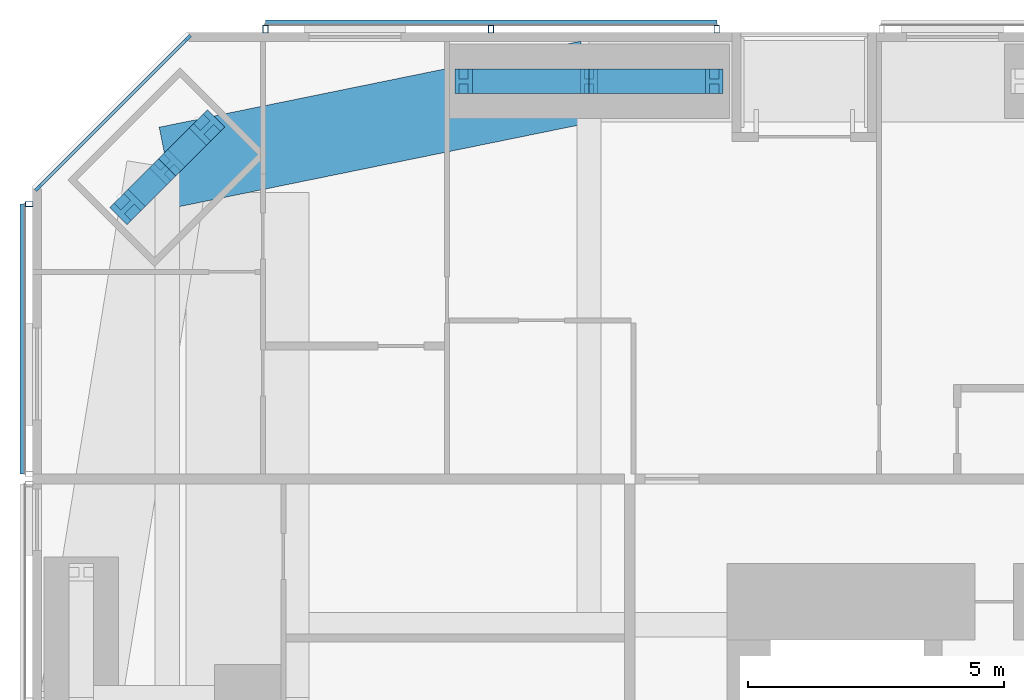
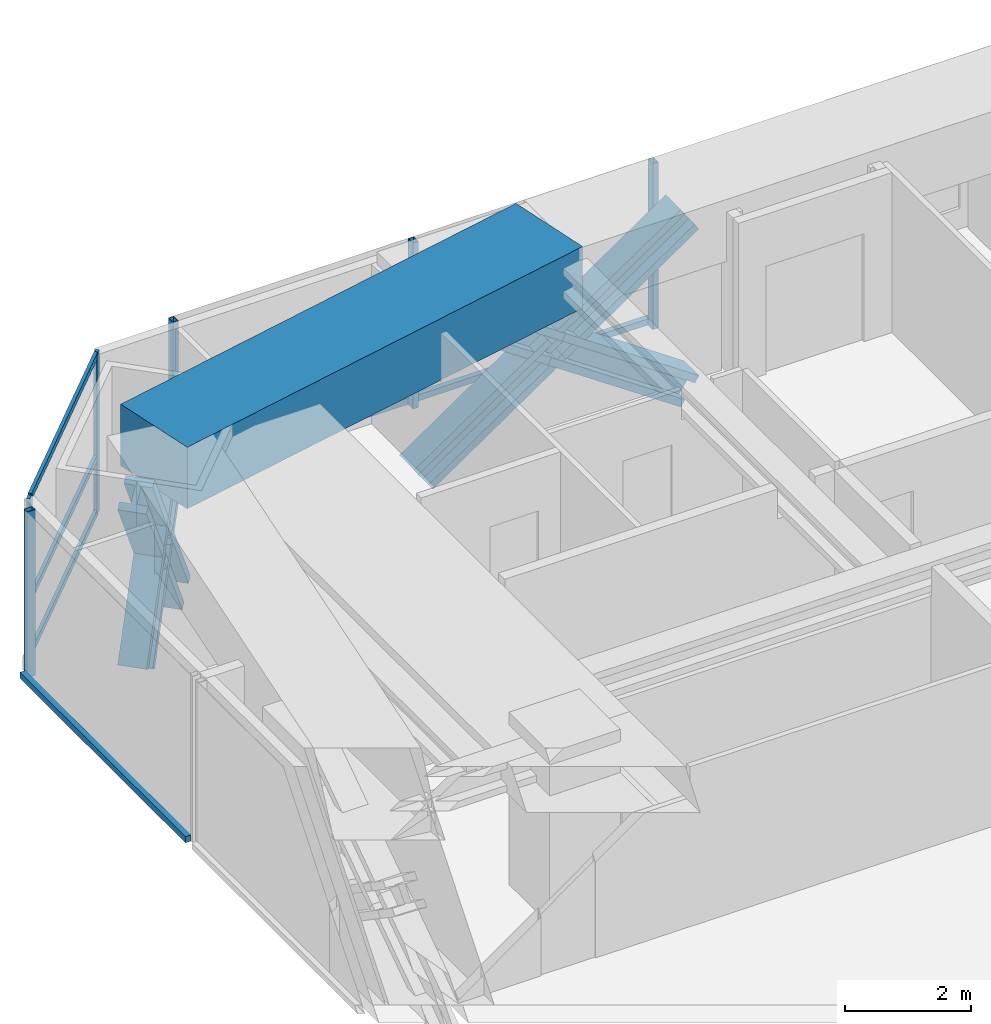
# One storey, part 11 of 23: 19 members, 1 beam, 3 elements without a shape of their own.
"""IFC4 building model written with IfcOpenShell, lengths in metres."""

from ifc_helpers import new_model, si_unit, direction, frame, origin, origin_2d, place, context, subcontext, project, spatial, rectangle, hollow_rectangle, i_section, extrude, material, material_profile, profile_set, type_object, element, aggregate, save


model = new_model("IFC4")

# Units and contexts
model_context = context("Model", 3, precision=1e-05, world=origin(), true_north=direction((0.0, 1.0)))
body_context = subcontext(model_context, "Body", "Model", "MODEL_VIEW")
ifc_project = project(units=[si_unit("LENGTHUNIT", "METRE"), si_unit("AREAUNIT", "SQUARE_METRE"), si_unit("VOLUMEUNIT", "CUBIC_METRE"), si_unit("PLANEANGLEUNIT", "RADIAN"), si_unit("MASSUNIT", "GRAM", prefix="KILO")], contexts=[model_context])

# Site, building, storey
site_placement = place(None, origin())
site = spatial("IfcSite", under=ifc_project, at=site_placement, CompositionType="ELEMENT")
building_placement = place(site_placement, origin())
building = spatial("IfcBuilding", under=site, at=building_placement, Name="Jalousie Tower", CompositionType="ELEMENT")
storey_placement = place(building_placement, frame((0.0, 0.0, 88.10009765625)))
storey = spatial("IfcBuildingStorey", under=building, at=storey_placement, Name="L23", CompositionType="ELEMENT", Elevation=88.10009765625)

# Curtain wall, members
ifc_material_1 = material(Name="Aluminium curtain wall", Category="aluminium")
curtain_wall_type_1 = type_object("IfcCurtainWallType", Name="CORNER WINDOW WALL", PredefinedType="USERDEFINED", material=ifc_material_1)
curtain_wall_1_placement = place(storey_placement, origin())
curtain_wall_1 = element("IfcCurtainWall", 1, at=curtain_wall_1_placement, inside=storey, type_object=curtain_wall_type_1, Name="Corner Window Wall L23 6", ObjectType="CORNER WINDOW WALL", PredefinedType="USERDEFINED")
ifc_material_2 = material(Name="Aluminium mullion", Category="aluminium")
ifc_material_profile_1 = material_profile(ifc_material_2, rectangle(XDim=0.06005859375, YDim=0.14990234375, at=origin_2d()), Name="MULLION 60x150")
ifc_profile_set_1 = profile_set([ifc_material_profile_1], Name="Aluminium mullion")
member_type_1 = type_object("IfcMemberType", Name="CORNER WINDOW WALL MULLION", PredefinedType="MULLION", material=ifc_profile_set_1)
member_1_placement = place(storey_placement, frame((9.030029296875, 37.891357421875, 0.0), z_axis=(0.0, 0.0, 1.0), x_axis=(0.707106781187, -0.707106781187, 0.0)))
member_1 = element("IfcMember", 2, at=member_1_placement, type_object=member_type_1, Name="CW-C mullion 1", PredefinedType="MULLION", context=body_context, shape_type="SweptSolid", body=[
    extrude(rectangle(XDim=0.06005859375, YDim=0.14990234375, at=origin_2d()), origin(), (0.0, 0.0, 1.0), 3.10986328125),
])
member_2_placement = place(storey_placement, frame((6.108642578125, 34.969970703125, 0.0), z_axis=(0.0, 0.0, 1.0), x_axis=(0.707106781187, -0.707106781187, 0.0)))
member_2 = element("IfcMember", 3, at=member_2_placement, type_object=member_type_1, Name="CW-C mullion 2", PredefinedType="MULLION", context=body_context, shape_type="SweptSolid", body=[
    extrude(rectangle(XDim=0.06005859375, YDim=0.14990234375, at=origin_2d()), origin(), (0.0, 0.0, 1.0), 3.10986328125),
])
ifc_material_3 = material(Name="Aluminium transom", Category="aluminium")
ifc_material_profile_2 = material_profile(ifc_material_3, rectangle(XDim=0.06005859375, YDim=0.1201171875, at=origin_2d()), Name="TRANSOM 60x120")
ifc_profile_set_2 = profile_set([ifc_material_profile_2], Name="Aluminium transom")
member_type_2 = type_object("IfcMemberType", Name="CORNER WINDOW WALL TRANSOM", PredefinedType="USERDEFINED", material=ifc_profile_set_2)
member_3_placement = place(storey_placement, frame((9.0087890625, 37.8701171875, 0.02978515625), z_axis=(-0.707106781187, -0.707106781187, 0.0), x_axis=(0.707106781187, -0.707106781187, 0.0)))
member_3 = element("IfcMember", 4, at=member_3_placement, type_object=member_type_2, Name="CW-C transom 1.1", ObjectType="TRANSOM", PredefinedType="USERDEFINED", context=body_context, shape_type="SweptSolid", body=[
    extrude(rectangle(XDim=0.06005859375, YDim=0.1201171875, at=origin_2d()), origin(), (0.0, 0.0, 1.0), 4.0712890625),
])
member_4_placement = place(storey_placement, frame((9.0087890625, 37.8701171875, 1.099853515625), z_axis=(-0.707106781187, -0.707106781187, 0.0), x_axis=(0.707106781187, -0.707106781187, 0.0)))
member_4 = element("IfcMember", 5, at=member_4_placement, type_object=member_type_2, Name="CW-C transom 1.2", ObjectType="TRANSOM", PredefinedType="USERDEFINED", context=body_context, shape_type="SweptSolid", body=[
    extrude(rectangle(XDim=0.06005859375, YDim=0.1201171875, at=origin_2d()), origin(), (0.0, 0.0, 1.0), 4.0712890625),
])
member_5_placement = place(storey_placement, frame((9.0087890625, 37.8701171875, 3.079833984375), z_axis=(-0.707106781187, -0.707106781187, 0.0), x_axis=(0.707106781187, -0.707106781187, 0.0)))
member_5 = element("IfcMember", 6, at=member_5_placement, type_object=member_type_2, Name="CW-C transom 1.3", ObjectType="TRANSOM", PredefinedType="USERDEFINED", context=body_context, shape_type="SweptSolid", body=[
    extrude(rectangle(XDim=0.06005859375, YDim=0.1201171875, at=origin_2d()), origin(), (0.0, 0.0, 1.0), 4.0712890625),
])
aggregate(curtain_wall_1, [member_1, member_2, member_3, member_4, member_5])

# Members
ifc_material_4 = material(Name="Steel ASTM A992 Grade 50", Category="steel")
ifc_material_profile_3 = material_profile(ifc_material_4, i_section(OverallWidth=0.4775390625, OverallDepth=0.599365234375, WebThickness=0.10009765625, FlangeThickness=0.139892578125, at=origin_2d()), Name="W14X873")
ifc_profile_set_3 = profile_set([ifc_material_profile_3], Name="Steel ASTM A992 Grade 50")
member_type_3 = type_object("IfcMemberType", Name="PERIMETER BRACE W14X873", PredefinedType="BRACE", material=ifc_profile_set_3)
for number, where, z_axis, x_axis, name in (
    (7, (14.425048828125, 37.050048828125, -0.60009765625), (0.825500916831, 0.0, 0.564400776321), (0.0, 1.0, 0.0), "Perimeter brace 11 L23 part 1"),
    (8, (16.875, 37.050048828125, 1.074951171875), (0.825500916831, 0.0, 0.564400776321), (0.0, 1.0, 0.0), "Perimeter brace 11 L23 part 2"),
    (9, (19.324951171875, 37.050048828125, -0.60009765625), (-0.825500916831, 0.0, 0.564400776321), (0.0, -1.0, 0.0), "Perimeter brace 11 L23 part 3"),
    (10, (16.875, 37.050048828125, 1.074951171875), (-0.825500916831, 0.0, 0.564400776321), (0.0, -1.0, 0.0), "Perimeter brace 11 L23 part 4"),
):
    element("IfcMember", number, at=place(storey_placement, frame(where, z_axis=z_axis, x_axis=x_axis)), inside=storey, type_object=member_type_3, Name=name, PredefinedType="BRACE", context=body_context, shape_type="SweptSolid", body=[
        extrude(i_section(OverallWidth=0.4775390625, OverallDepth=0.599365234375, WebThickness=0.10009765625, FlangeThickness=0.139892578125, at=origin_2d()), origin(), (0.0, 0.0, 1.0), 2.9677734375),
    ])
for number, where, z_axis, x_axis, name in (
    (11, (9.4091796875, 36.146484375, -0.60009765625), (-0.388148535558, -0.388148535558, 0.835871658024), (0.707106781187, -0.707106781187, 0.0), "Perimeter brace 12 L23 part 1"),
    (12, (8.63134765625, 35.36865234375, 1.074951171875), (-0.388148535558, -0.388148535558, 0.835871658024), (0.707106781187, -0.707106781187, 0.0), "Perimeter brace 12 L23 part 2"),
    (13, (7.853515625, 34.5908203125, -0.60009765625), (0.388148535558, 0.388148535558, 0.835871658024), (-0.707106781187, 0.707106781187, 0.0), "Perimeter brace 12 L23 part 3"),
    (14, (8.63134765625, 35.36865234375, 1.074951171875), (0.388148535558, 0.388148535558, 0.835871658024), (-0.707106781187, 0.707106781187, 0.0), "Perimeter brace 12 L23 part 4"),
):
    element("IfcMember", number, at=place(storey_placement, frame(where, z_axis=z_axis, x_axis=x_axis)), inside=storey, type_object=member_type_3, Name=name, PredefinedType="BRACE", context=body_context, shape_type="SweptSolid", body=[
        extrude(i_section(OverallWidth=0.4775390625, OverallDepth=0.599365234375, WebThickness=0.10009765625, FlangeThickness=0.139892578125, at=origin_2d()), origin(), (0.0, 0.0, 1.0), 2.00390625),
    ])

# Beam
ifc_material_5 = material(Name="Concrete f'c 40 MPa", Category="concrete")
ifc_material_profile_4 = material_profile(ifc_material_5, rectangle(XDim=1.60009765625, YDim=1.199951171875, at=origin_2d()), Name="RC 1600x1200")
ifc_profile_set_4 = profile_set([ifc_material_profile_4], Name="Concrete f'c 40 MPa")
beam_type = type_object("IfcBeamType", Name="RC BEAM 1600x1200", PredefinedType="BEAM", material=ifc_profile_set_4)
beam_placement = place(storey_placement, frame((16.875, 37.050048828125, 2.75), z_axis=(-0.97982690954, -0.199848010602, 0.0), x_axis=(0.199848010602, -0.97982690954, 0.0)))
element("IfcBeam", 15, at=beam_placement, inside=storey, type_object=beam_type, Name="Edge band beam 11-12 under L24", PredefinedType="BEAM", context=body_context, shape_type="SweptSolid", body=[
    extrude(rectangle(XDim=1.60009765625, YDim=1.199951171875, at=origin_2d()), origin(), (0.0, 0.0, 1.0), 8.413330078125),
])

# Curtain wall, members
ifc_material_6 = material(Name="Perforated aluminium sheet", Category="aluminium")
curtain_wall_type_2 = type_object("IfcCurtainWallType", Name="SOLAR SCREEN SS-1", PredefinedType="USERDEFINED", material=ifc_material_6)
curtain_wall_2_placement = place(storey_placement, origin())
curtain_wall_2 = element("IfcCurtainWall", 16, at=curtain_wall_2_placement, inside=storey, type_object=curtain_wall_type_2, Name="Solar screen L23", ObjectType="SOLAR SCREEN SS-1", PredefinedType="USERDEFINED")
ifc_material_7 = material(Name="Steel ASTM A500 Grade C", Category="steel")
ifc_material_profile_5 = material_profile(ifc_material_7, hollow_rectangle(XDim=0.1015625, YDim=0.15234375, WallThickness=0.00634765625, at=origin_2d()), Name="HSS6X4X1/4")
ifc_profile_set_5 = profile_set([ifc_material_profile_5], Name="Steel ASTM A500 Grade C")
member_type_4 = type_object("IfcMemberType", Name="SOLAR SCREEN SS-1 MULLION", PredefinedType="MULLION", material=ifc_profile_set_5)
member_6_placement = place(storey_placement, frame((19.375, 38.0712890625, -0.1201171875), z_axis=(0.0, 0.0, 1.0), x_axis=(-1.0, 0.0, 0.0)))
member_6 = element("IfcMember", 17, at=member_6_placement, type_object=member_type_4, Name="SS1 post 1", PredefinedType="MULLION", context=body_context, shape_type="SweptSolid", body=[
    extrude(hollow_rectangle(XDim=0.1015625, YDim=0.15234375, WallThickness=0.00634765625, at=origin_2d()), origin(), (0.0, 0.0, 1.0), 3.22998046875),
])
member_7_placement = place(storey_placement, frame((14.96240234375, 38.0712890625, -0.1201171875), z_axis=(0.0, 0.0, 1.0), x_axis=(-1.0, 0.0, 0.0)))
member_7 = element("IfcMember", 18, at=member_7_placement, type_object=member_type_4, Name="SS1 post 2", PredefinedType="MULLION", context=body_context, shape_type="SweptSolid", body=[
    extrude(hollow_rectangle(XDim=0.1015625, YDim=0.15234375, WallThickness=0.00634765625, at=origin_2d()), origin(), (0.0, 0.0, 1.0), 3.22998046875),
])
member_8_placement = place(storey_placement, frame((10.550048828125, 38.0712890625, -0.1201171875), z_axis=(0.0, 0.0, 1.0), x_axis=(-1.0, 0.0, 0.0)))
member_8 = element("IfcMember", 19, at=member_8_placement, type_object=member_type_4, Name="SS1 post 3", PredefinedType="MULLION", context=body_context, shape_type="SweptSolid", body=[
    extrude(hollow_rectangle(XDim=0.1015625, YDim=0.15234375, WallThickness=0.00634765625, at=origin_2d()), origin(), (0.0, 0.0, 1.0), 3.22998046875),
])

# Curtain wall, member
curtain_wall_3_placement = place(storey_placement, origin())
curtain_wall_3 = element("IfcCurtainWall", 20, at=curtain_wall_3_placement, inside=storey, type_object=curtain_wall_type_2, Name="Solar screen L23", ObjectType="SOLAR SCREEN SS-1", PredefinedType="USERDEFINED")
member_9_placement = place(storey_placement, frame((5.9287109375, 34.648681640625, -0.1201171875), z_axis=(0.0, 0.0, 1.0), x_axis=(0.0, -1.0, 0.0)))
member_9 = element("IfcMember", 21, at=member_9_placement, type_object=member_type_4, Name="SS1 post 1", PredefinedType="MULLION", context=body_context, shape_type="SweptSolid", body=[
    extrude(hollow_rectangle(XDim=0.1015625, YDim=0.15234375, WallThickness=0.00634765625, at=origin_2d()), origin(), (0.0, 0.0, 1.0), 3.22998046875),
])

# Member
ifc_material_8 = material(Name="Extruded aluminium screen rail", Category="aluminium")
ifc_material_profile_6 = material_profile(ifc_material_8, rectangle(XDim=0.1015625, YDim=0.1201171875, at=origin_2d()), Name="RAIL 102x120")
ifc_profile_set_6 = profile_set([ifc_material_profile_6], Name="Extruded aluminium screen rail")
member_type_5 = type_object("IfcMemberType", Name="SOLAR SCREEN SS-1 TRANSOM", PredefinedType="USERDEFINED", material=ifc_profile_set_6)
member_10_placement = place(storey_placement, frame((19.375, 38.1982421875, -0.06005859375), z_axis=(-1.0, 0.0, 0.0), x_axis=(0.0, -1.0, 0.0)))
member_10 = element("IfcMember", 22, at=member_10_placement, type_object=member_type_5, Name="SS1 rail", ObjectType="TRANSOM", PredefinedType="USERDEFINED", context=body_context, shape_type="SweptSolid", body=[
    extrude(rectangle(XDim=0.1015625, YDim=0.1201171875, at=origin_2d()), origin(), (0.0, 0.0, 1.0), 8.824951171875),
])

aggregate(curtain_wall_2, [member_6, member_7, member_8, member_10])

member_11_placement = place(storey_placement, frame((5.8017578125, 34.648681640625, -0.06005859375), z_axis=(0.0, -1.0, 0.0), x_axis=(1.0, 0.0, 0.0)))
member_11 = element("IfcMember", 23, at=member_11_placement, type_object=member_type_5, Name="SS1 rail", ObjectType="TRANSOM", PredefinedType="USERDEFINED", context=body_context, shape_type="SweptSolid", body=[
    extrude(rectangle(XDim=0.1015625, YDim=0.1201171875, at=origin_2d()), origin(), (0.0, 0.0, 1.0), 5.273681640625),
])

aggregate(curtain_wall_3, [member_9, member_11])

save(model, "model.ifc")
